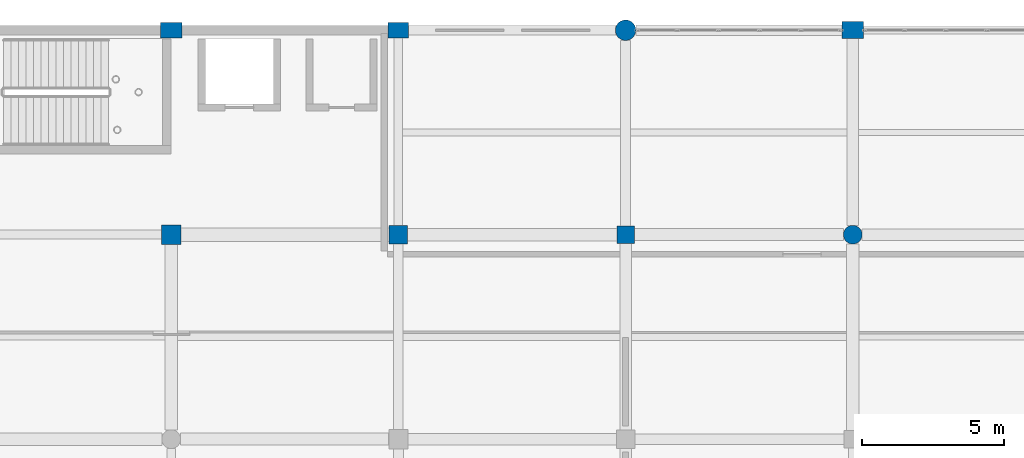
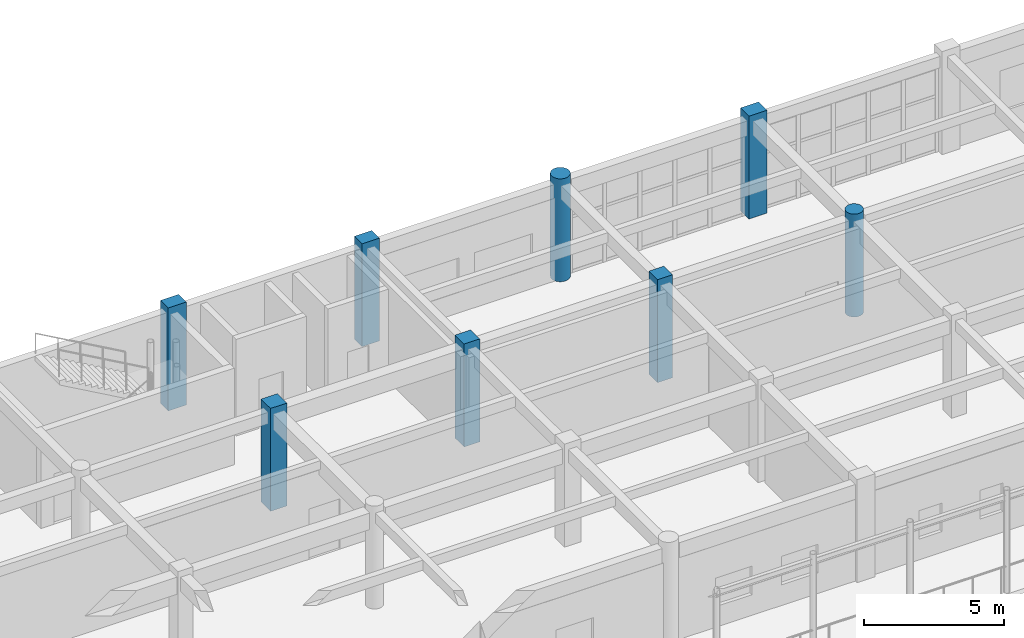
# One storey, part 23 of 160: 8 columns.
"""IFC4 building model written with IfcOpenShell, lengths in metres."""

from ifc_helpers import new_model, si_unit, direction, frame, origin, origin_2d, place, context, subcontext, project, spatial, rectangle, circle, extrude, material, material_profile, profile_set, type_object, element, save


model = new_model("IFC4")

# Units and contexts
model_context = context("Model", 3, precision=1e-05, world=origin(), true_north=direction((0.0, 1.0)))
body_context = subcontext(model_context, "Body", "Model", "MODEL_VIEW")
ifc_project = project(units=[si_unit("LENGTHUNIT", "METRE"), si_unit("AREAUNIT", "SQUARE_METRE"), si_unit("VOLUMEUNIT", "CUBIC_METRE"), si_unit("PLANEANGLEUNIT", "RADIAN"), si_unit("MASSUNIT", "GRAM", prefix="KILO")], contexts=[model_context])

# Site, building, storey
site_placement = place(None, origin())
site = spatial("IfcSite", under=ifc_project, at=site_placement, CompositionType="ELEMENT")
building_placement = place(site_placement, origin())
building = spatial("IfcBuilding", under=site, at=building_placement, Name="Kharva Crest Polytechnic", CompositionType="ELEMENT")
storey_placement = place(building_placement, frame((0.0, 0.0, 4.5)))
storey = spatial("IfcBuildingStorey", under=building, at=storey_placement, Name="L01", CompositionType="ELEMENT", Elevation=4.5)

# Columns
ifc_material = material(Name="Concrete C40/50", Category="concrete")
ifc_material_profile_1 = material_profile(ifc_material, rectangle(XDim=0.719970703125, YDim=0.550048828125, at=origin_2d()), Name="RECT 720 X 550")
ifc_profile_set_1 = profile_set([ifc_material_profile_1], Name="Concrete C40/50")
column_type_1 = type_object("IfcColumnType", Name="COL-EXT-720X550", PredefinedType="COLUMN", material=ifc_profile_set_1)
column_1_placement = place(storey_placement, frame((72.0, 122.0, 0.0), z_axis=(0.0, 0.0, 1.0), x_axis=(1.0, 0.0, 0.0)))
element("IfcColumn", 1, at=column_1_placement, inside=storey, type_object=column_type_1, Name="L01 Column 10/S", PredefinedType="COLUMN", context=body_context, shape_type="SweptSolid", body=[
    extrude(rectangle(XDim=0.719970703125, YDim=0.550048828125, at=origin_2d()), origin(), (0.0, 0.0, 1.0), 4.5),
])
ifc_material_profile_2 = material_profile(ifc_material, rectangle(XDim=0.75, YDim=0.550048828125, at=origin_2d()), Name="RECT 750 X 550")
ifc_profile_set_2 = profile_set([ifc_material_profile_2], Name="Concrete C40/50")
column_type_2 = type_object("IfcColumnType", Name="COL-EXT-750X550", PredefinedType="COLUMN", material=ifc_profile_set_2)
column_2_placement = place(storey_placement, frame((64.0, 122.0, 0.0), z_axis=(0.0, 0.0, 1.0), x_axis=(1.0, 0.0, 0.0)))
element("IfcColumn", 2, at=column_2_placement, inside=storey, type_object=column_type_2, Name="L01 Column 9/S", PredefinedType="COLUMN", context=body_context, shape_type="SweptSolid", body=[
    extrude(rectangle(XDim=0.75, YDim=0.550048828125, at=origin_2d()), origin(), (0.0, 0.0, 1.0), 4.5),
])
ifc_material_profile_3 = material_profile(ifc_material, rectangle(XDim=0.75, YDim=0.60009765625, at=origin_2d()), Name="RECT 750 X 600")
ifc_profile_set_3 = profile_set([ifc_material_profile_3], Name="Concrete C40/50")
column_type_3 = type_object("IfcColumnType", Name="COL-EXT-750X600", PredefinedType="COLUMN", material=ifc_profile_set_3)
column_3_placement = place(storey_placement, frame((88.0, 122.0, 0.0), z_axis=(0.0, 0.0, 1.0), x_axis=(1.0, 0.0, 0.0)))
element("IfcColumn", 3, at=column_3_placement, inside=storey, type_object=column_type_3, Name="L01 Column 12/S", PredefinedType="COLUMN", context=body_context, shape_type="SweptSolid", body=[
    extrude(rectangle(XDim=0.75, YDim=0.60009765625, at=origin_2d()), origin(), (0.0, 0.0, 1.0), 4.5),
])
ifc_material_profile_4 = material_profile(ifc_material, circle(Radius=0.360107421875, at=origin_2d()), Name="DIA 720")
ifc_profile_set_4 = profile_set([ifc_material_profile_4], Name="Concrete C40/50")
column_type_4 = type_object("IfcColumnType", Name="COL-EXT-DIA720", PredefinedType="COLUMN", material=ifc_profile_set_4)
column_4_placement = place(storey_placement, frame((80.0, 122.0, 0.0), z_axis=(0.0, 0.0, 1.0), x_axis=(1.0, 0.0, 0.0)))
element("IfcColumn", 4, at=column_4_placement, inside=storey, type_object=column_type_4, Name="L01 Column 11/S", PredefinedType="COLUMN", context=body_context, shape_type="SweptSolid", body=[
    extrude(circle(Radius=0.360107421875, at=origin_2d()), origin(), (0.0, 0.0, 1.0), 4.5),
])
ifc_material_profile_5 = material_profile(ifc_material, rectangle(XDim=0.6201171875, YDim=0.6201171875, at=origin_2d()), Name="RECT 620 X 620")
ifc_profile_set_5 = profile_set([ifc_material_profile_5], Name="Concrete C40/50")
column_type_5 = type_object("IfcColumnType", Name="COL-INT-620X620", PredefinedType="COLUMN", material=ifc_profile_set_5)
column_5_placement = place(storey_placement, frame((80.0, 114.800048828125, 0.0), z_axis=(0.0, 0.0, 1.0), x_axis=(1.0, 0.0, 0.0)))
element("IfcColumn", 5, at=column_5_placement, inside=storey, type_object=column_type_5, Name="L01 Column 11/R", PredefinedType="COLUMN", context=body_context, shape_type="SweptSolid", body=[
    extrude(rectangle(XDim=0.6201171875, YDim=0.6201171875, at=origin_2d()), origin(), (0.0, 0.0, 1.0), 4.5),
])
ifc_material_profile_6 = material_profile(ifc_material, rectangle(XDim=0.64990234375, YDim=0.64990234375, at=origin_2d()), Name="RECT 650 X 650")
ifc_profile_set_6 = profile_set([ifc_material_profile_6], Name="Concrete C40/50")
column_type_6 = type_object("IfcColumnType", Name="COL-INT-650X650", PredefinedType="COLUMN", material=ifc_profile_set_6)
column_6_placement = place(storey_placement, frame((72.0, 114.800048828125, 0.0), z_axis=(0.0, 0.0, 1.0), x_axis=(1.0, 0.0, 0.0)))
element("IfcColumn", 6, at=column_6_placement, inside=storey, type_object=column_type_6, Name="L01 Column 10/R", PredefinedType="COLUMN", context=body_context, shape_type="SweptSolid", body=[
    extrude(rectangle(XDim=0.64990234375, YDim=0.64990234375, at=origin_2d()), origin(), (0.0, 0.0, 1.0), 4.5),
])
ifc_material_profile_7 = material_profile(ifc_material, rectangle(XDim=0.679931640625, YDim=0.679931640625, at=origin_2d()), Name="RECT 680 X 680")
ifc_profile_set_7 = profile_set([ifc_material_profile_7], Name="Concrete C40/50")
column_type_7 = type_object("IfcColumnType", Name="COL-INT-680X680", PredefinedType="COLUMN", material=ifc_profile_set_7)
column_7_placement = place(storey_placement, frame((64.0, 114.800048828125, 0.0), z_axis=(0.0, 0.0, 1.0), x_axis=(1.0, 0.0, 0.0)))
element("IfcColumn", 7, at=column_7_placement, inside=storey, type_object=column_type_7, Name="L01 Column 9/R", PredefinedType="COLUMN", context=body_context, shape_type="SweptSolid", body=[
    extrude(rectangle(XDim=0.679931640625, YDim=0.679931640625, at=origin_2d()), origin(), (0.0, 0.0, 1.0), 4.5),
])
ifc_material_profile_8 = material_profile(ifc_material, circle(Radius=0.330078125, at=origin_2d()), Name="DIA 660")
ifc_profile_set_8 = profile_set([ifc_material_profile_8], Name="Concrete C40/50")
column_type_8 = type_object("IfcColumnType", Name="COL-INT-DIA660", PredefinedType="COLUMN", material=ifc_profile_set_8)
column_8_placement = place(storey_placement, frame((88.0, 114.800048828125, 0.0), z_axis=(0.0, 0.0, 1.0), x_axis=(1.0, 0.0, 0.0)))
element("IfcColumn", 8, at=column_8_placement, inside=storey, type_object=column_type_8, Name="L01 Column 12/R", PredefinedType="COLUMN", context=body_context, shape_type="SweptSolid", body=[
    extrude(circle(Radius=0.330078125, at=origin_2d()), origin(), (0.0, 0.0, 1.0), 4.5),
])

save(model, "model.ifc")
